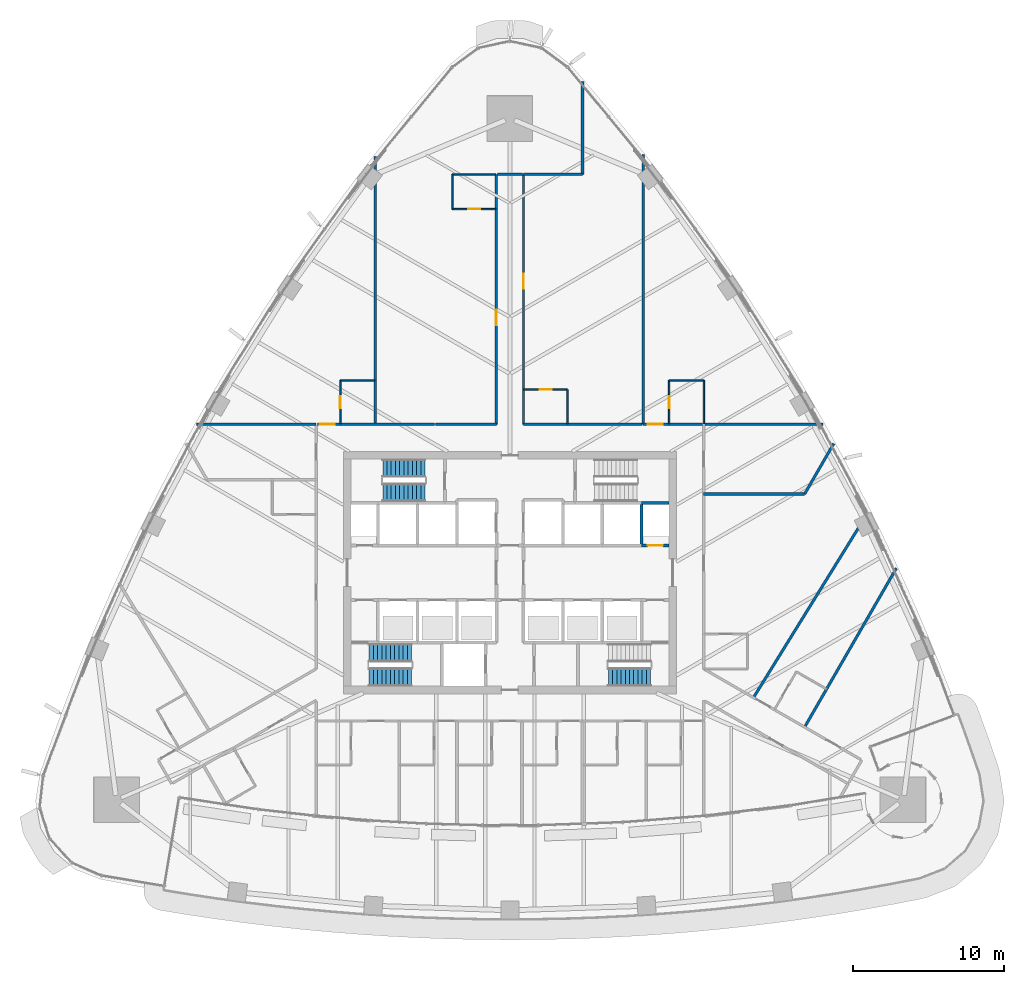
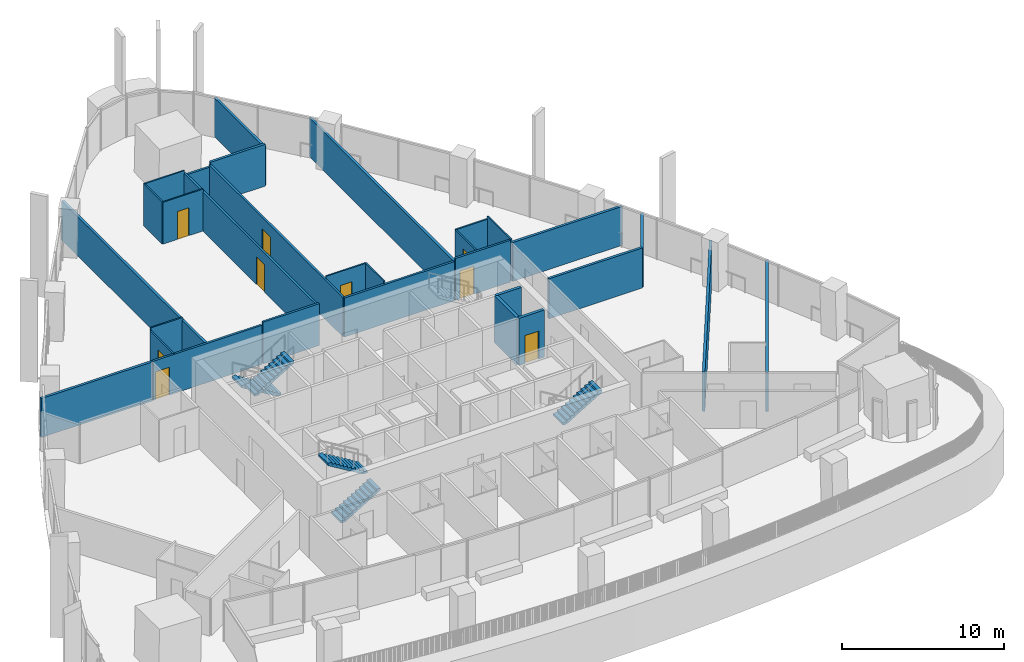
# One storey, part 14 of 25: 30 walls, 9 doors, 5 stair flights, 9 openings, 3 elements without a shape of their own.
"""IFC4 building model written with IfcOpenShell, lengths in metres."""

from ifc_helpers import new_model, si_unit, direction, frame, frame_2d, origin, place, context, subcontext, project, spatial, polyline, rectangle, outline, extrude, material, layer, layer_set, type_object, element, fill, aggregate, save


model = new_model("IFC4")

# Units and contexts
model_context = context("Model", 3, precision=1e-05, world=origin(), true_north=direction((0.0, 1.0)))
body_context = subcontext(model_context, "Body", "Model", "MODEL_VIEW")
ifc_project = project(units=[si_unit("LENGTHUNIT", "METRE"), si_unit("AREAUNIT", "SQUARE_METRE"), si_unit("VOLUMEUNIT", "CUBIC_METRE"), si_unit("PLANEANGLEUNIT", "RADIAN"), si_unit("MASSUNIT", "GRAM", prefix="KILO")], contexts=[model_context])

# Site, building, storey
site_placement = place(None, origin())
site = spatial("IfcSite", under=ifc_project, at=site_placement, CompositionType="ELEMENT")
building_placement = place(site_placement, origin())
building = spatial("IfcBuilding", under=site, at=building_placement, Name="Sierra Prisma Convention Tower", CompositionType="ELEMENT")
storey_placement = place(building_placement, frame((0.0, 0.0, 88.699951171875)))
storey = spatial("IfcBuildingStorey", under=building, at=storey_placement, Name="L18", CompositionType="ELEMENT", Elevation=88.699951171875)

# Wall, opening, door
ifc_material_1 = material(Name="Gypsum board partition", Category="gypsum")
ifc_layer_1 = layer(ifc_material_1, 0.10009765625)
ifc_layer_set_1 = layer_set([ifc_layer_1], Name="Bathroom partition 100")
wall_type_1 = type_object("IfcWallType", Name="Bathroom partition 100", PredefinedType="PARTITIONING", material=ifc_layer_set_1)
wall_1_placement = place(storey_placement, frame((-11.199951171875, 9.830078125, 0.0), z_axis=(0.0, 0.0, 1.0), x_axis=(0.0, 1.0, 0.0)))
wall_1 = element("IfcWall", 1, at=wall_1_placement, inside=storey, type_object=wall_type_1, Name="Partition L18 bath 9", PredefinedType="PARTITIONING", context=body_context, shape_type="SweptSolid", body=[
    extrude(rectangle(XDim=2.869873046875, YDim=0.10009765625, at=frame_2d((1.43505859375, 0.0))), origin(), (0.0, 0.0, 1.0), 2.947021484375),
])
opening_1_placement = place(wall_1_placement, frame((1.034912109375, 0.0, 0.0)))
opening_1 = element("IfcOpeningElement", 2, at=opening_1_placement, cuts=wall_1, Name="Opening L18-D008", PredefinedType="OPENING", context=body_context, shape_type="SweptSolid", body=[
    extrude(rectangle(XDim=0.800048828125, YDim=2.10009765625, at=frame_2d((0.39990234375, 1.050048828125))), frame((0.0, 0.050048828125, 0.0), z_axis=(0.0, -1.0, 0.0), x_axis=(1.0, 0.0, 0.0)), (0.0, 0.0, 1.0), 0.10009765625),
])
ifc_material_2 = material(Name="Solid core timber door leaf", Category="wood")
door_type_1 = type_object("IfcDoorType", Name="Door 800x2100 plain", OperationType="SINGLE_SWING_LEFT", PredefinedType="DOOR", material=ifc_material_2)
door_1_placement = place(opening_1_placement, origin())
door_1 = element("IfcDoor", 3, at=door_1_placement, inside=storey, type_object=door_type_1, Name="Door L18 11", OperationType="SINGLE_SWING_LEFT", OverallHeight=2.10009765625, OverallWidth=0.800048828125, PredefinedType="DOOR", context=body_context, shape_type="SweptSolid", body=[
    extrude(rectangle(XDim=0.800048828125, YDim=2.10009765625, at=frame_2d((0.39990234375, 1.050048828125))), frame((0.0, 0.02490234375, 0.0), z_axis=(0.0, -1.0, 0.0), x_axis=(1.0, 0.0, 0.0)), (0.0, 0.0, 1.0), 0.050048828125),
])
fill(opening_1, door_1)

# Wall
wall_2_placement = place(storey_placement, frame((-11.199951171875, 12.699951171875, 0.0), z_axis=(0.0, 0.0, 1.0), x_axis=(1.0, 0.0, 0.0)))
element("IfcWall", 4, at=wall_2_placement, inside=storey, type_object=wall_type_1, Name="Partition L18 bath 10", PredefinedType="PARTITIONING", context=body_context, shape_type="SweptSolid", body=[
    extrude(rectangle(XDim=2.27001953125, YDim=0.10009765625, at=frame_2d((1.135009765625, 0.0))), origin(), (0.0, 0.0, 1.0), 3.150146484375),
])

# Wall, opening, door
wall_3_placement = place(storey_placement, frame((-0.929931640625, 24.019775390625, 0.0), z_axis=(0.0, 0.0, 1.0), x_axis=(-1.0, 0.0, 0.0)))
wall_3 = element("IfcWall", 5, at=wall_3_placement, inside=storey, type_object=wall_type_1, Name="Partition L18 bath 15", PredefinedType="PARTITIONING", context=body_context, shape_type="SweptSolid", body=[
    extrude(rectangle(XDim=2.8701171875, YDim=0.10009765625, at=frame_2d((1.43505859375, 0.0))), origin(), (0.0, 0.0, 1.0), 3.150146484375),
])
opening_2_placement = place(wall_3_placement, frame((1.034912109375, 0.0, 0.0)))
opening_2 = element("IfcOpeningElement", 6, at=opening_2_placement, cuts=wall_3, Name="Opening L18-D007", PredefinedType="OPENING", context=body_context, shape_type="SweptSolid", body=[
    extrude(rectangle(XDim=0.800048828125, YDim=2.10009765625, at=frame_2d((0.39990234375, 1.050048828125))), frame((0.0, 0.050048828125, 0.0), z_axis=(0.0, -1.0, 0.0), x_axis=(1.0, 0.0, 0.0)), (0.0, 0.0, 1.0), 0.10009765625),
])
door_2_placement = place(opening_2_placement, origin())
door_2 = element("IfcDoor", 7, at=door_2_placement, inside=storey, type_object=door_type_1, Name="Door L18 9", OperationType="SINGLE_SWING_RIGHT", OverallHeight=2.10009765625, OverallWidth=0.800048828125, PredefinedType="DOOR", context=body_context, shape_type="SweptSolid", body=[
    extrude(rectangle(XDim=0.800048828125, YDim=2.10009765625, at=frame_2d((0.39990234375, 1.050048828125))), frame((0.0, 0.02490234375, 0.0), z_axis=(0.0, -1.0, 0.0), x_axis=(1.0, 0.0, 0.0)), (0.0, 0.0, 1.0), 0.050048828125),
])
fill(opening_2, door_2)

# Walls
wall_4_placement = place(storey_placement, frame((-3.800048828125, 24.019775390625, 0.0), z_axis=(0.0, 0.0, 1.0), x_axis=(0.0, 1.0, 0.0)))
element("IfcWall", 8, at=wall_4_placement, inside=storey, type_object=wall_type_1, Name="Partition L18 bath 16", PredefinedType="PARTITIONING", context=body_context, shape_type="SweptSolid", body=[
    extrude(rectangle(XDim=2.2998046875, YDim=0.10009765625, at=frame_2d((1.14990234375, 0.0))), origin(), (0.0, 0.0, 1.0), 3.150146484375),
])
wall_5_placement = place(storey_placement, frame((-3.800048828125, 26.319580078125, 0.0), z_axis=(0.0, 0.0, 1.0), x_axis=(1.0, 0.0, 0.0)))
element("IfcWall", 9, at=wall_5_placement, inside=storey, type_object=wall_type_1, Name="Partition L18 bath 17", PredefinedType="PARTITIONING", context=body_context, shape_type="SweptSolid", body=[
    extrude(rectangle(XDim=2.8701171875, YDim=0.10009765625, at=frame_2d((1.43505859375, 0.0))), origin(), (0.0, 0.0, 1.0), 3.150146484375),
])

# Wall, opening, door
wall_6_placement = place(storey_placement, frame((0.929931640625, 12.10009765625, 0.0), z_axis=(0.0, 0.0, 1.0), x_axis=(1.0, 0.0, 0.0)))
wall_6 = element("IfcWall", 10, at=wall_6_placement, inside=storey, type_object=wall_type_1, Name="Partition L18 bath 20", PredefinedType="PARTITIONING", context=body_context, shape_type="SweptSolid", body=[
    extrude(rectangle(XDim=2.8701171875, YDim=0.10009765625, at=frame_2d((1.43505859375, 0.0))), origin(), (0.0, 0.0, 1.0), 3.150146484375),
])
opening_3_placement = place(wall_6_placement, frame((1.034912109375, 0.0, 0.0)))
opening_3 = element("IfcOpeningElement", 11, at=opening_3_placement, cuts=wall_6, Name="Opening L18-D006", PredefinedType="OPENING", context=body_context, shape_type="SweptSolid", body=[
    extrude(rectangle(XDim=0.800048828125, YDim=2.10009765625, at=frame_2d((0.39990234375, 1.050048828125))), frame((0.0, 0.050048828125, 0.0), z_axis=(0.0, -1.0, 0.0), x_axis=(1.0, 0.0, 0.0)), (0.0, 0.0, 1.0), 0.10009765625),
])
door_3_placement = place(opening_3_placement, origin())
door_3 = element("IfcDoor", 12, at=door_3_placement, inside=storey, type_object=door_type_1, Name="Door L18 7", OperationType="SINGLE_SWING_LEFT", OverallHeight=2.10009765625, OverallWidth=0.800048828125, PredefinedType="DOOR", context=body_context, shape_type="SweptSolid", body=[
    extrude(rectangle(XDim=0.800048828125, YDim=2.10009765625, at=frame_2d((0.39990234375, 1.050048828125))), frame((0.0, 0.02490234375, 0.0), z_axis=(0.0, -1.0, 0.0), x_axis=(1.0, 0.0, 0.0)), (0.0, 0.0, 1.0), 0.050048828125),
])
fill(opening_3, door_3)

# Wall
wall_7_placement = place(storey_placement, frame((3.800048828125, 12.10009765625, 0.0), z_axis=(0.0, 0.0, 1.0), x_axis=(0.0, -1.0, 0.0)))
element("IfcWall", 13, at=wall_7_placement, inside=storey, type_object=wall_type_1, Name="Partition L18 bath 21", PredefinedType="PARTITIONING", context=body_context, shape_type="SweptSolid", body=[
    extrude(rectangle(XDim=2.27001953125, YDim=0.10009765625, at=frame_2d((1.135009765625, 0.0))), origin(), (0.0, 0.0, 1.0), 3.150146484375),
])

# Wall, opening, door
wall_8_placement = place(storey_placement, frame((10.52001953125, 9.830078125, 0.0), z_axis=(0.0, 0.0, 1.0), x_axis=(0.0, 1.0, 0.0)))
wall_8 = element("IfcWall", 14, at=wall_8_placement, inside=storey, type_object=wall_type_1, Name="Partition L18 bath 26", PredefinedType="PARTITIONING", context=body_context, shape_type="SweptSolid", body=[
    extrude(rectangle(XDim=2.869873046875, YDim=0.10009765625, at=frame_2d((1.43505859375, 0.0))), origin(), (0.0, 0.0, 1.0), 2.947021484375),
])
opening_4_placement = place(wall_8_placement, frame((1.034912109375, 0.0, 0.0)))
opening_4 = element("IfcOpeningElement", 15, at=opening_4_placement, cuts=wall_8, Name="Opening L18-D005", PredefinedType="OPENING", context=body_context, shape_type="SweptSolid", body=[
    extrude(rectangle(XDim=0.800048828125, YDim=2.10009765625, at=frame_2d((0.39990234375, 1.050048828125))), frame((0.0, 0.050048828125, 0.0), z_axis=(0.0, -1.0, 0.0), x_axis=(1.0, 0.0, 0.0)), (0.0, 0.0, 1.0), 0.10009765625),
])
door_4_placement = place(opening_4_placement, origin())
door_4 = element("IfcDoor", 16, at=door_4_placement, inside=storey, type_object=door_type_1, Name="Door L18 5", OperationType="SINGLE_SWING_LEFT", OverallHeight=2.10009765625, OverallWidth=0.800048828125, PredefinedType="DOOR", context=body_context, shape_type="SweptSolid", body=[
    extrude(rectangle(XDim=0.800048828125, YDim=2.10009765625, at=frame_2d((0.39990234375, 1.050048828125))), frame((0.0, 0.02490234375, 0.0), z_axis=(0.0, -1.0, 0.0), x_axis=(1.0, 0.0, 0.0)), (0.0, 0.0, 1.0), 0.050048828125),
])
fill(opening_4, door_4)

# Walls
wall_9_placement = place(storey_placement, frame((10.52001953125, 12.699951171875, 0.0), z_axis=(0.0, 0.0, 1.0), x_axis=(1.0, 0.0, 0.0)))
element("IfcWall", 17, at=wall_9_placement, inside=storey, type_object=wall_type_1, Name="Partition L18 bath 27", PredefinedType="PARTITIONING", context=body_context, shape_type="SweptSolid", body=[
    extrude(rectangle(XDim=2.300048828125, YDim=0.10009765625, at=frame_2d((1.14990234375, 0.0))), origin(), (0.0, 0.0, 1.0), 2.947021484375),
])
wall_10_placement = place(storey_placement, frame((12.820068359375, 12.699951171875, 0.0), z_axis=(0.0, 0.0, 1.0), x_axis=(0.0, -1.0, 0.0)))
element("IfcWall", 18, at=wall_10_placement, inside=storey, type_object=wall_type_1, Name="Partition L18 bath 28", PredefinedType="PARTITIONING", context=body_context, shape_type="SweptSolid", body=[
    extrude(rectangle(XDim=2.869873046875, YDim=0.10009765625, at=frame_2d((1.43505859375, 0.0))), origin(), (0.0, 0.0, 1.0), 3.150146484375),
])

# Wall, opening, door
ifc_material_3 = material(Name="Concrete C30/37", Category="concrete")
ifc_layer_2 = layer(ifc_material_3, 0.199951171875)
ifc_layer_set_2 = layer_set([ifc_layer_2], Name="Core wall RC 200 C30/37")
wall_type_2 = type_object("IfcWallType", Name="Core wall RC 200 C30/37", PredefinedType="SOLIDWALL", material=ifc_layer_set_2)
wall_11_placement = place(storey_placement, frame((10.5, 1.800048828125, 0.0), z_axis=(0.0, 0.0, 1.0), x_axis=(-1.0, 0.0, 0.0)))
wall_11 = element("IfcWall", 19, at=wall_11_placement, inside=storey, type_object=wall_type_2, Name="Core wall L18 64", PredefinedType="SOLIDWALL", context=body_context, shape_type="SweptSolid", body=[
    extrude(rectangle(XDim=1.800048828125, YDim=0.199951171875, at=frame_2d((0.89990234375, 0.0))), origin(), (0.0, 0.0, 1.0), 3.550048828125),
])
opening_5_placement = place(wall_11_placement, frame((0.39990234375, 0.0, 0.0)))
opening_5 = element("IfcOpeningElement", 20, at=opening_5_placement, cuts=wall_11, Name="Opening L18-D035", PredefinedType="OPENING", context=body_context, shape_type="SweptSolid", body=[
    extrude(rectangle(XDim=1.0, YDim=2.10009765625, at=frame_2d((0.5, 1.050048828125))), frame((0.0, 0.10009765625, 0.0), z_axis=(0.0, -1.0, 0.0), x_axis=(1.0, 0.0, 0.0)), (0.0, 0.0, 1.0), 0.199951171875),
])
ifc_material_4 = material(Name="Steel fire door leaf", Category="steel")
door_type_2 = type_object("IfcDoorType", Name="Door 1000x2100 FD60S", OperationType="SINGLE_SWING_LEFT", PredefinedType="DOOR", material=ifc_material_4)
door_5_placement = place(opening_5_placement, origin())
door_5 = element("IfcDoor", 21, at=door_5_placement, inside=storey, type_object=door_type_2, Name="Door L18 51", OperationType="SINGLE_SWING_RIGHT", OverallHeight=2.10009765625, OverallWidth=1.0, PredefinedType="DOOR", context=body_context, shape_type="SweptSolid", body=[
    extrude(rectangle(XDim=1.0, YDim=2.10009765625, at=frame_2d((0.5, 1.050048828125))), frame((0.0, 0.02490234375, 0.0), z_axis=(0.0, -1.0, 0.0), x_axis=(1.0, 0.0, 0.0)), (0.0, 0.0, 1.0), 0.050048828125),
])
fill(opening_5, door_5)

# Walls
wall_12_placement = place(storey_placement, frame((8.699951171875, 4.60009765625, 0.0), z_axis=(0.0, 0.0, 1.0), x_axis=(0.0, -1.0, 0.0)))
element("IfcWall", 22, at=wall_12_placement, inside=storey, type_object=wall_type_2, Name="Core wall L18 65", PredefinedType="SOLIDWALL", context=body_context, shape_type="SweptSolid", body=[
    extrude(rectangle(XDim=2.800048828125, YDim=0.199951171875, at=frame_2d((1.39990234375, 0.0))), origin(), (0.0, 0.0, 1.0), 3.550048828125),
])
wall_13_placement = place(storey_placement, frame((10.5, 4.60009765625, 0.0), z_axis=(0.0, 0.0, 1.0), x_axis=(-1.0, 0.0, 0.0)))
element("IfcWall", 23, at=wall_13_placement, inside=storey, type_object=wall_type_2, Name="Core wall L18 66", PredefinedType="SOLIDWALL", context=body_context, shape_type="SweptSolid", body=[
    extrude(rectangle(XDim=1.800048828125, YDim=0.199951171875, at=frame_2d((0.89990234375, 0.0))), origin(), (0.0, 0.0, 1.0), 3.550048828125),
])

# Wall, opening, door
ifc_material_5 = material(Name="Gypsum board partition", Category="gypsum")
ifc_layer_3 = layer(ifc_material_5, 0.14990234375)
ifc_layer_set_3 = layer_set([ifc_layer_3], Name="Corridor wall 150 gypsum EI 60")
wall_type_3 = type_object("IfcWallType", Name="Corridor wall 150 gypsum EI 60", PredefinedType="PARTITIONING", material=ifc_layer_set_3)
wall_14_placement = place(storey_placement, frame((-4.97998046875, 9.800048828125, 0.0), z_axis=(0.0, 0.0, 1.0), x_axis=(-1.0, 0.0, 0.0)))
wall_14 = element("IfcWall", 24, at=wall_14_placement, inside=storey, type_object=wall_type_3, Name="Partition L18 corr 7", PredefinedType="PARTITIONING", context=body_context, shape_type="SweptSolid", body=[
    extrude(rectangle(XDim=7.739990234375, YDim=0.14990234375, at=frame_2d((3.8701171875, 0.0))), origin(), (0.0, 0.0, 1.0), 2.947021484375),
])
opening_6_placement = place(wall_14_placement, frame((6.580078125, 0.0, 0.0)))
opening_6 = element("IfcOpeningElement", 25, at=opening_6_placement, cuts=wall_14, Name="Opening L18-D046", PredefinedType="OPENING", context=body_context, shape_type="SweptSolid", body=[
    extrude(rectangle(XDim=1.0, YDim=2.10009765625, at=frame_2d((0.5, 1.050048828125))), frame((0.0, 0.074951171875, 0.0), z_axis=(0.0, -1.0, 0.0), x_axis=(1.0, 0.0, 0.0)), (0.0, 0.0, 1.0), 0.14990234375),
])
ifc_material_6 = material(Name="Steel fire door leaf", Category="steel")
door_type_3 = type_object("IfcDoorType", Name="Door 1000x2100 FD30S", OperationType="SINGLE_SWING_LEFT", PredefinedType="DOOR", material=ifc_material_6)
door_6_placement = place(opening_6_placement, origin())
door_6 = element("IfcDoor", 26, at=door_6_placement, inside=storey, type_object=door_type_3, Name="Door L18 10", OperationType="SINGLE_SWING_RIGHT", OverallHeight=2.10009765625, OverallWidth=1.0, PredefinedType="DOOR", context=body_context, shape_type="SweptSolid", body=[
    extrude(rectangle(XDim=1.0, YDim=2.10009765625, at=frame_2d((0.5, 1.050048828125))), frame((0.0, 0.02490234375, 0.0), z_axis=(0.0, -1.0, 0.0), x_axis=(1.0, 0.0, 0.0)), (0.0, 0.0, 1.0), 0.050048828125),
])
fill(opening_6, door_6)

wall_15_placement = place(storey_placement, frame((-0.89990234375, 26.319580078125, 0.0), z_axis=(0.0, 0.0, 1.0), x_axis=(0.0, -1.0, 0.0)))
wall_15 = element("IfcWall", 27, at=wall_15_placement, inside=storey, type_object=wall_type_3, Name="Partition L18 corr 8", PredefinedType="PARTITIONING", context=body_context, shape_type="SweptSolid", body=[
    extrude(rectangle(XDim=16.51953125, YDim=0.14990234375, at=frame_2d((8.259765625, 0.0))), origin(), (0.0, 0.0, 1.0), 2.947021484375),
])
opening_7_placement = place(wall_15_placement, frame((8.9599609375, 0.0, 0.0)))
opening_7 = element("IfcOpeningElement", 28, at=opening_7_placement, cuts=wall_15, Name="Opening L18-D045", PredefinedType="OPENING", context=body_context, shape_type="SweptSolid", body=[
    extrude(rectangle(XDim=1.0, YDim=2.10009765625, at=frame_2d((0.5, 1.050048828125))), frame((0.0, 0.074951171875, 0.0), z_axis=(0.0, -1.0, 0.0), x_axis=(1.0, 0.0, 0.0)), (0.0, 0.0, 1.0), 0.14990234375),
])
door_7_placement = place(opening_7_placement, origin())
door_7 = element("IfcDoor", 29, at=door_7_placement, inside=storey, type_object=door_type_3, Name="Door L18 8", OperationType="SINGLE_SWING_LEFT", OverallHeight=2.10009765625, OverallWidth=1.0, PredefinedType="DOOR", context=body_context, shape_type="SweptSolid", body=[
    extrude(rectangle(XDim=1.0, YDim=2.10009765625, at=frame_2d((0.5, 1.050048828125))), frame((0.0, 0.02490234375, 0.0), z_axis=(0.0, -1.0, 0.0), x_axis=(1.0, 0.0, 0.0)), (0.0, 0.0, 1.0), 0.050048828125),
])
fill(opening_7, door_7)

# Walls
wall_16_placement = place(storey_placement, frame((-0.89990234375, 9.800048828125, 0.0), z_axis=(0.0, 0.0, 1.0), x_axis=(-1.0, 0.0, 0.0)))
element("IfcWall", 30, at=wall_16_placement, inside=storey, type_object=wall_type_3, Name="Partition L18 corr 9", PredefinedType="PARTITIONING", context=body_context, shape_type="SweptSolid", body=[
    extrude(rectangle(XDim=4.0, YDim=0.14990234375, at=frame_2d((2.0, 0.0))), origin(), (0.0, 0.0, 1.0), 3.150146484375),
])
wall_17_placement = place(storey_placement, frame((0.820068359375, 26.319580078125, 0.0), z_axis=(0.0, 0.0, 1.0), x_axis=(-1.0, 0.0, 0.0)))
element("IfcWall", 31, at=wall_17_placement, inside=storey, type_object=wall_type_3, Name="Partition L18 corr 11", PredefinedType="PARTITIONING", context=body_context, shape_type="SweptSolid", body=[
    extrude(rectangle(XDim=1.64013671875, YDim=0.14990234375, at=frame_2d((0.820068359375, 0.0))), origin(), (0.0, 0.0, 1.0), 2.797119140625),
])
wall_18_placement = place(storey_placement, frame((8.719970703125, 9.800048828125, 0.0), z_axis=(0.0, 0.0, 1.0), x_axis=(-1.0, 0.0, 0.0)))
element("IfcWall", 32, at=wall_18_placement, inside=storey, type_object=wall_type_3, Name="Partition L18 corr 13", PredefinedType="PARTITIONING", context=body_context, shape_type="SweptSolid", body=[
    extrude(rectangle(XDim=7.820068359375, YDim=0.14990234375, at=frame_2d((3.91015625, 0.0))), origin(), (0.0, 0.0, 1.0), 2.947021484375),
])

# Wall, opening, door
wall_19_placement = place(storey_placement, frame((0.89990234375, 9.800048828125, 0.0), z_axis=(0.0, 0.0, 1.0), x_axis=(0.0, 1.0, 0.0)))
wall_19 = element("IfcWall", 33, at=wall_19_placement, inside=storey, type_object=wall_type_3, Name="Partition L18 corr 14", PredefinedType="PARTITIONING", context=body_context, shape_type="SweptSolid", body=[
    extrude(rectangle(XDim=16.51953125, YDim=0.14990234375, at=frame_2d((8.259765625, 0.0))), origin(), (0.0, 0.0, 1.0), 2.947021484375),
])
opening_8_placement = place(wall_19_placement, frame((8.959716796875, 0.0, 0.0)))
opening_8 = element("IfcOpeningElement", 34, at=opening_8_placement, cuts=wall_19, Name="Opening L18-D044", PredefinedType="OPENING", context=body_context, shape_type="SweptSolid", body=[
    extrude(rectangle(XDim=1.0, YDim=2.10009765625, at=frame_2d((0.5, 1.050048828125))), frame((0.0, 0.074951171875, 0.0), z_axis=(0.0, -1.0, 0.0), x_axis=(1.0, 0.0, 0.0)), (0.0, 0.0, 1.0), 0.14990234375),
])
door_8_placement = place(opening_8_placement, origin())
door_8 = element("IfcDoor", 35, at=door_8_placement, inside=storey, type_object=door_type_3, Name="Door L18 6", OperationType="SINGLE_SWING_LEFT", OverallHeight=2.10009765625, OverallWidth=1.0, PredefinedType="DOOR", context=body_context, shape_type="SweptSolid", body=[
    extrude(rectangle(XDim=1.0, YDim=2.10009765625, at=frame_2d((0.5, 1.050048828125))), frame((0.0, 0.02490234375, 0.0), z_axis=(0.0, -1.0, 0.0), x_axis=(1.0, 0.0, 0.0)), (0.0, 0.0, 1.0), 0.050048828125),
])
fill(opening_8, door_8)

wall_20_placement = place(storey_placement, frame((12.719970703125, 9.800048828125, 0.0), z_axis=(0.0, 0.0, 1.0), x_axis=(-1.0, 0.0, 0.0)))
wall_20 = element("IfcWall", 36, at=wall_20_placement, inside=storey, type_object=wall_type_3, Name="Partition L18 corr 17", PredefinedType="PARTITIONING", context=body_context, shape_type="SweptSolid", body=[
    extrude(rectangle(XDim=3.919921875, YDim=0.14990234375, at=frame_2d((1.9599609375, 0.0))), origin(), (0.0, 0.0, 1.0), 3.150146484375),
])
opening_9_placement = place(wall_20_placement, frame((2.610107421875, 0.0, 0.0)))
opening_9 = element("IfcOpeningElement", 37, at=opening_9_placement, cuts=wall_20, Name="Opening L18-D043", PredefinedType="OPENING", context=body_context, shape_type="SweptSolid", body=[
    extrude(rectangle(XDim=1.0, YDim=2.10009765625, at=frame_2d((0.5, 1.050048828125))), frame((0.0, 0.074951171875, 0.0), z_axis=(0.0, -1.0, 0.0), x_axis=(1.0, 0.0, 0.0)), (0.0, 0.0, 1.0), 0.14990234375),
])
door_9_placement = place(opening_9_placement, origin())
door_9 = element("IfcDoor", 38, at=door_9_placement, inside=storey, type_object=door_type_3, Name="Door L18 4", OperationType="SINGLE_SWING_LEFT", OverallHeight=2.10009765625, OverallWidth=1.0, PredefinedType="DOOR", context=body_context, shape_type="SweptSolid", body=[
    extrude(rectangle(XDim=1.0, YDim=2.10009765625, at=frame_2d((0.5, 1.050048828125))), frame((0.0, 0.02490234375, 0.0), z_axis=(0.0, -1.0, 0.0), x_axis=(1.0, 0.0, 0.0)), (0.0, 0.0, 1.0), 0.050048828125),
])
fill(opening_9, door_9)

# Walls
ifc_material_7 = material(Name="Acoustic gypsum board partition", Category="gypsum")
ifc_layer_4 = layer(ifc_material_7, 0.175048828125)
ifc_layer_set_4 = layer_set([ifc_layer_4], Name="Guest room party wall 175 acoustic EI 60")
wall_type_4 = type_object("IfcWallType", Name="Guest room party wall 175 acoustic EI 60", PredefinedType="PARTITIONING", material=ifc_layer_set_4)
wall_21_placement = place(storey_placement, frame((-12.800048828125, 9.800048828125, 0.0), z_axis=(0.0, 0.0, 1.0), x_axis=(-1.0, 0.0, 0.0)))
element("IfcWall", 39, at=wall_21_placement, inside=storey, type_object=wall_type_4, Name="Partition L18 hparty 4", PredefinedType="PARTITIONING", context=body_context, shape_type="SweptSolid", body=[
    extrude(rectangle(XDim=7.89013671875, YDim=0.175048828125, at=frame_2d((3.945068359375, 0.0))), origin(), (0.0, 0.0, 1.0), 2.93408203125),
])
wall_22_placement = place(storey_placement, frame((-8.89990234375, 9.800048828125, 0.0), z_axis=(0.0, 0.0, 1.0), x_axis=(0.0, 1.0, 0.0)))
element("IfcWall", 40, at=wall_22_placement, inside=storey, type_object=wall_type_4, Name="Partition L18 hparty 7", PredefinedType="PARTITIONING", context=body_context, shape_type="SweptSolid", body=[
    extrude(rectangle(XDim=17.689697265625, YDim=0.175048828125, at=frame_2d((8.8447265625, 0.0))), origin(), (0.0, 0.0, 1.0), 2.947021484375),
])
wall_23_placement = place(storey_placement, frame((0.89990234375, 26.319580078125, 0.0), z_axis=(0.0, 0.0, 1.0), x_axis=(1.0, 0.0, 0.0)))
element("IfcWall", 41, at=wall_23_placement, inside=storey, type_object=wall_type_4, Name="Partition L18 hparty 11", PredefinedType="PARTITIONING", context=body_context, shape_type="SweptSolid", body=[
    extrude(rectangle(XDim=3.900146484375, YDim=0.175048828125, at=frame_2d((1.9501953125, 0.0))), origin(), (0.0, 0.0, 1.0), 3.150146484375),
])
wall_24_placement = place(storey_placement, frame((4.800048828125, 26.319580078125, 0.0), z_axis=(0.0, 0.0, 1.0), x_axis=(0.0, 1.0, 0.0)))
element("IfcWall", 42, at=wall_24_placement, inside=storey, type_object=wall_type_4, Name="Partition L18 hparty 12", PredefinedType="PARTITIONING", context=body_context, shape_type="SweptSolid", body=[
    extrude(rectangle(XDim=6.139404296875, YDim=0.175048828125, at=frame_2d((3.06982421875, 0.0))), origin(), (0.0, 0.0, 1.0), 2.93408203125),
])
wall_25_placement = place(storey_placement, frame((8.800048828125, 9.800048828125, 0.0), z_axis=(0.0, 0.0, 1.0), x_axis=(0.0, 1.0, 0.0)))
element("IfcWall", 43, at=wall_25_placement, inside=storey, type_object=wall_type_4, Name="Partition L18 hparty 15", PredefinedType="PARTITIONING", context=body_context, shape_type="SweptSolid", body=[
    extrude(rectangle(XDim=17.8154296875, YDim=0.175048828125, at=frame_2d((8.90771484375, 0.0))), origin(), (0.0, 0.0, 1.0), 2.93408203125),
])
wall_26_placement = place(storey_placement, frame((12.800048828125, 5.199951171875, 0.0), z_axis=(0.0, 0.0, 1.0), x_axis=(1.0, 0.0, 0.0)))
element("IfcWall", 44, at=wall_26_placement, inside=storey, type_object=wall_type_4, Name="Partition L18 hparty 18", PredefinedType="PARTITIONING", context=body_context, shape_type="SweptSolid", body=[
    extrude(rectangle(XDim=6.6689453125, YDim=0.175048828125, at=frame_2d((3.33447265625, 0.0))), origin(), (0.0, 0.0, 1.0), 3.01708984375),
])
wall_27_placement = place(storey_placement, frame((19.468994140625, 5.199951171875, 0.0), z_axis=(0.0, 0.0, 1.0), x_axis=(0.50000659858, 0.866021594059, 0.0)))
element("IfcWall", 45, at=wall_27_placement, inside=storey, type_object=wall_type_4, Name="Partition L18 hparty 19", PredefinedType="PARTITIONING", context=body_context, shape_type="SweptSolid", body=[
    extrude(rectangle(XDim=3.8427734375, YDim=0.175048828125, at=frame_2d((1.92138671875, 0.0))), origin(), (0.0, 0.0, 1.0), 2.93408203125),
])
wall_28_placement = place(storey_placement, frame((20.690185546875, 9.800048828125, 0.0), z_axis=(0.0, 0.0, 1.0), x_axis=(-1.0, 0.0, 0.0)))
element("IfcWall", 46, at=wall_28_placement, inside=storey, type_object=wall_type_4, Name="Partition L18 hparty 20", PredefinedType="PARTITIONING", context=body_context, shape_type="SweptSolid", body=[
    extrude(rectangle(XDim=7.810302734375, YDim=0.175048828125, at=frame_2d((3.9052734375, 0.0))), origin(), (0.0, 0.0, 1.0), 2.93408203125),
])
wall_29_placement = place(storey_placement, frame((23.572021484375, 3.843017578125, 0.0), z_axis=(0.0, 0.0, 1.0), x_axis=(-0.526072077188, -0.850439985891, 0.0)))
element("IfcWall", 47, at=wall_29_placement, inside=storey, type_object=wall_type_4, Name="Partition L18 hparty 21", PredefinedType="PARTITIONING", context=body_context, shape_type="SweptSolid", body=[
    extrude(rectangle(XDim=14.220947265625, YDim=0.175048828125, at=frame_2d((7.1103515625, 0.0))), origin(), (0.0, 0.0, 1.0), 2.947021484375),
])
wall_30_placement = place(storey_placement, frame((25.527099609375, 0.293212890625, 0.0), z_axis=(0.0, 0.0, 1.0), x_axis=(-0.499987549055, -0.866032592222, 0.0)))
element("IfcWall", 48, at=wall_30_placement, inside=storey, type_object=wall_type_4, Name="Partition L18 hparty 22", PredefinedType="PARTITIONING", context=body_context, shape_type="SweptSolid", body=[
    extrude(rectangle(XDim=12.117431640625, YDim=0.175048828125, at=frame_2d((6.05859375, 0.0))), origin(), (0.0, 0.0, 1.0), 2.93408203125),
])

# Stair, stair flights
ifc_material_8 = material(Name="Concrete C30/37", Category="concrete")
stair_type = type_object("IfcStairType", Name="Stair dog-leg 1200 RC", PredefinedType="HALF_TURN_STAIR", material=ifc_material_8)
stair_1_placement = place(storey_placement, origin())
stair_1 = element("IfcStair", 49, at=stair_1_placement, inside=storey, type_object=stair_type, Name="L18 S1", PredefinedType="HALF_TURN_STAIR")
ifc_material_9 = material(Name="Concrete C30/37", Category="concrete")
stair_flight_type = type_object("IfcStairFlightType", Name="Stair flight RC 1200", PredefinedType="STRAIGHT", material=ifc_material_9)
stair_flight_1_placement = place(storey_placement, frame((-9.300048828125, -6.89990234375, 0.0), z_axis=(0.0, 0.0, 1.0), x_axis=(1.0, 0.0, 0.0)))
stair_flight_1 = element("IfcStairFlight", 50, at=stair_flight_1_placement, type_object=stair_flight_type, Name="S1 flight 1", NumberOfRisers=11, NumberOfTreads=10, PredefinedType="STRAIGHT", RiserHeight=0.168181818, TreadLength=0.28, context=body_context, shape_type="SweptSolid", body=[
    extrude(outline(polyline([(0.0, 0.0), (0.0, 0.168212890625), (0.280029296875, 0.168212890625), (0.280029296875, 0.33642578125), (0.56005859375, 0.33642578125), (0.56005859375, 0.504638671875), (0.840087890625, 0.504638671875), (0.840087890625, 0.672607421875), (1.1201171875, 0.672607421875), (1.1201171875, 0.8408203125), (1.39990234375, 0.8408203125), (1.39990234375, 1.009033203125), (1.679931640625, 1.009033203125), (1.679931640625, 1.17724609375), (1.9599609375, 1.17724609375), (1.9599609375, 1.345458984375), (2.239990234375, 1.345458984375), (2.239990234375, 1.513671875), (2.52001953125, 1.513671875), (2.52001953125, 1.681884765625), (2.800048828125, 1.681884765625), (2.800048828125, 1.85009765625), (2.800048828125, 1.5068359375), (0.291015625, 0.0), (0.0, 0.0)])), frame((0.0, 0.60009765625, 0.0), z_axis=(0.0, -1.0, 0.0), x_axis=(1.0, 0.0, 0.0)), (0.0, 0.0, 1.0), 1.199951171875),
])
stair_flight_2_placement = place(storey_placement, frame((-6.5, -5.300048828125, 1.85009765625), z_axis=(0.0, 0.0, 1.0), x_axis=(-1.0, 0.0, 0.0)))
stair_flight_2 = element("IfcStairFlight", 51, at=stair_flight_2_placement, type_object=stair_flight_type, Name="S1 flight 2", NumberOfRisers=11, NumberOfTreads=10, PredefinedType="STRAIGHT", RiserHeight=0.168181818, TreadLength=0.28, context=body_context, shape_type="SweptSolid", body=[
    extrude(outline(polyline([(0.0, 0.0), (0.0, 0.168212890625), (0.280029296875, 0.168212890625), (0.280029296875, 0.33642578125), (0.56005859375, 0.33642578125), (0.56005859375, 0.504638671875), (0.840087890625, 0.504638671875), (0.840087890625, 0.672607421875), (1.1201171875, 0.672607421875), (1.1201171875, 0.8408203125), (1.39990234375, 0.8408203125), (1.39990234375, 1.009033203125), (1.679931640625, 1.009033203125), (1.679931640625, 1.17724609375), (1.9599609375, 1.17724609375), (1.9599609375, 1.345458984375), (2.239990234375, 1.345458984375), (2.239990234375, 1.513671875), (2.52001953125, 1.513671875), (2.52001953125, 1.681884765625), (2.800048828125, 1.681884765625), (2.800048828125, 1.85009765625), (2.800048828125, 1.5068359375), (0.291015625, 0.0), (0.0, 0.0)])), frame((0.0, 0.60009765625, 0.0), z_axis=(0.0, -1.0, 0.0), x_axis=(1.0, 0.0, 0.0)), (0.0, 0.0, 1.0), 1.199951171875),
])
aggregate(stair_1, [stair_flight_1, stair_flight_2])

# Stair, stair flight
stair_2_placement = place(storey_placement, origin())
stair_2 = element("IfcStair", 52, at=stair_2_placement, inside=storey, type_object=stair_type, Name="L18 S2", PredefinedType="HALF_TURN_STAIR")
stair_flight_3_placement = place(storey_placement, frame((6.5, -6.89990234375, 1.85009765625), z_axis=(0.0, 0.0, 1.0), x_axis=(1.0, 0.0, 0.0)))
stair_flight_3 = element("IfcStairFlight", 53, at=stair_flight_3_placement, type_object=stair_flight_type, Name="S2 flight 2", NumberOfRisers=11, NumberOfTreads=10, PredefinedType="STRAIGHT", RiserHeight=0.168181818, TreadLength=0.28, context=body_context, shape_type="SweptSolid", body=[
    extrude(outline(polyline([(0.0, 0.0), (0.0, 0.168212890625), (0.280029296875, 0.168212890625), (0.280029296875, 0.33642578125), (0.56005859375, 0.33642578125), (0.56005859375, 0.504638671875), (0.840087890625, 0.504638671875), (0.840087890625, 0.672607421875), (1.1201171875, 0.672607421875), (1.1201171875, 0.8408203125), (1.39990234375, 0.8408203125), (1.39990234375, 1.009033203125), (1.679931640625, 1.009033203125), (1.679931640625, 1.17724609375), (1.9599609375, 1.17724609375), (1.9599609375, 1.345458984375), (2.239990234375, 1.345458984375), (2.239990234375, 1.513671875), (2.52001953125, 1.513671875), (2.52001953125, 1.681884765625), (2.800048828125, 1.681884765625), (2.800048828125, 1.85009765625), (2.800048828125, 1.5068359375), (0.291015625, 0.0), (0.0, 0.0)])), frame((0.0, 0.60009765625, 0.0), z_axis=(0.0, -1.0, 0.0), x_axis=(1.0, 0.0, 0.0)), (0.0, 0.0, 1.0), 1.199951171875),
])
aggregate(stair_2, [stair_flight_3])

# Stair, stair flights
stair_3_placement = place(storey_placement, origin())
stair_3 = element("IfcStair", 54, at=stair_3_placement, inside=storey, type_object=stair_type, Name="L18 S3", PredefinedType="HALF_TURN_STAIR")
stair_flight_4_placement = place(storey_placement, frame((-5.60009765625, 6.89990234375, 0.0), z_axis=(0.0, 0.0, 1.0), x_axis=(-1.0, 0.0, 0.0)))
stair_flight_4 = element("IfcStairFlight", 55, at=stair_flight_4_placement, type_object=stair_flight_type, Name="S3 flight 1", NumberOfRisers=11, NumberOfTreads=10, PredefinedType="STRAIGHT", RiserHeight=0.168181818, TreadLength=0.28, context=body_context, shape_type="SweptSolid", body=[
    extrude(outline(polyline([(0.0, 0.0), (0.0, 0.168212890625), (0.280029296875, 0.168212890625), (0.280029296875, 0.33642578125), (0.56005859375, 0.33642578125), (0.56005859375, 0.504638671875), (0.840087890625, 0.504638671875), (0.840087890625, 0.672607421875), (1.1201171875, 0.672607421875), (1.1201171875, 0.8408203125), (1.39990234375, 0.8408203125), (1.39990234375, 1.009033203125), (1.679931640625, 1.009033203125), (1.679931640625, 1.17724609375), (1.9599609375, 1.17724609375), (1.9599609375, 1.345458984375), (2.239990234375, 1.345458984375), (2.239990234375, 1.513671875), (2.52001953125, 1.513671875), (2.52001953125, 1.681884765625), (2.800048828125, 1.681884765625), (2.800048828125, 1.85009765625), (2.800048828125, 1.5068359375), (0.291015625, 0.0), (0.0, 0.0)])), frame((0.0, 0.60009765625, 0.0), z_axis=(0.0, -1.0, 0.0), x_axis=(1.0, 0.0, 0.0)), (0.0, 0.0, 1.0), 1.199951171875),
])
stair_flight_5_placement = place(storey_placement, frame((-8.39990234375, 5.300048828125, 1.85009765625), z_axis=(0.0, 0.0, 1.0), x_axis=(1.0, 0.0, 0.0)))
stair_flight_5 = element("IfcStairFlight", 56, at=stair_flight_5_placement, type_object=stair_flight_type, Name="S3 flight 2", NumberOfRisers=11, NumberOfTreads=10, PredefinedType="STRAIGHT", RiserHeight=0.168181818, TreadLength=0.28, context=body_context, shape_type="SweptSolid", body=[
    extrude(outline(polyline([(0.0, 0.0), (0.0, 0.168212890625), (0.280029296875, 0.168212890625), (0.280029296875, 0.33642578125), (0.56005859375, 0.33642578125), (0.56005859375, 0.504638671875), (0.840087890625, 0.504638671875), (0.840087890625, 0.672607421875), (1.1201171875, 0.672607421875), (1.1201171875, 0.8408203125), (1.39990234375, 0.8408203125), (1.39990234375, 1.009033203125), (1.679931640625, 1.009033203125), (1.679931640625, 1.17724609375), (1.9599609375, 1.17724609375), (1.9599609375, 1.345458984375), (2.239990234375, 1.345458984375), (2.239990234375, 1.513671875), (2.52001953125, 1.513671875), (2.52001953125, 1.681884765625), (2.800048828125, 1.681884765625), (2.800048828125, 1.85009765625), (2.800048828125, 1.5068359375), (0.291015625, 0.0), (0.0, 0.0)])), frame((0.0, 0.60009765625, 0.0), z_axis=(0.0, -1.0, 0.0), x_axis=(1.0, 0.0, 0.0)), (0.0, 0.0, 1.0), 1.199951171875),
])
aggregate(stair_3, [stair_flight_4, stair_flight_5])

save(model, "model.ifc")
